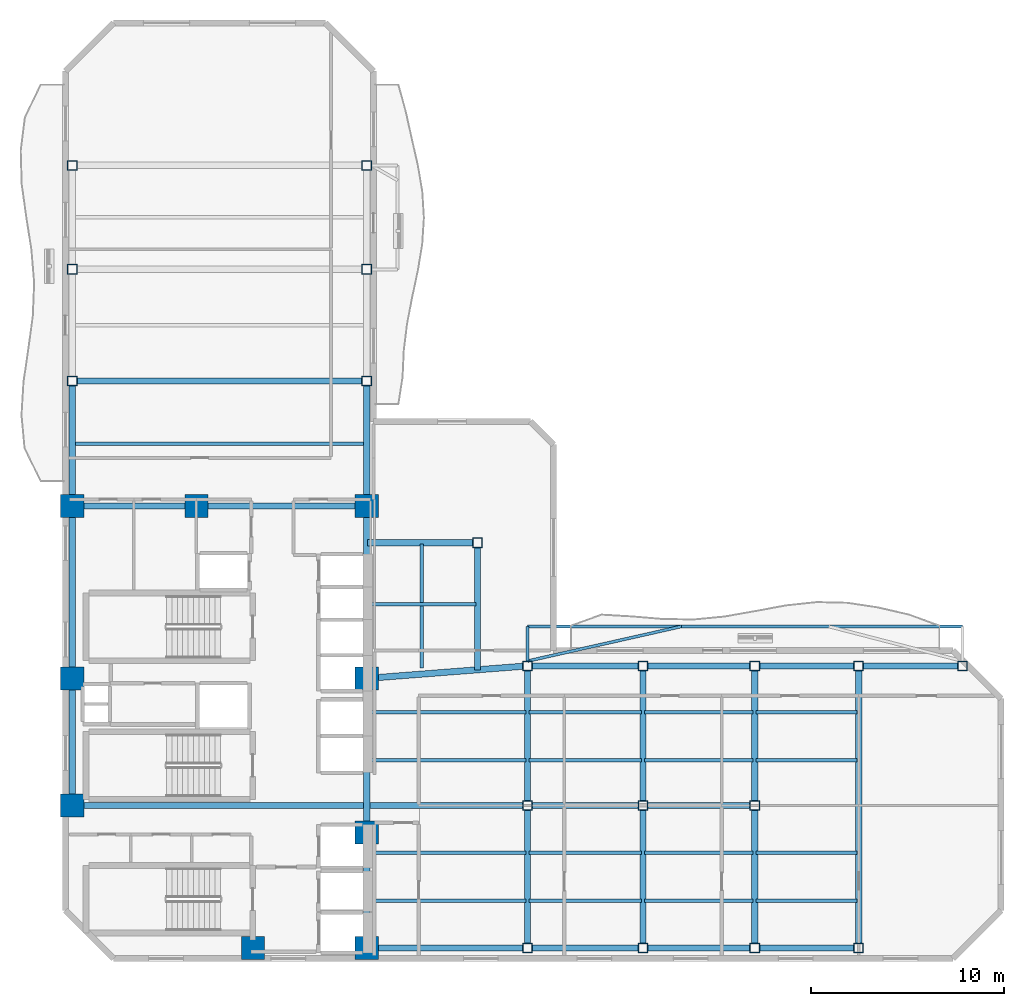
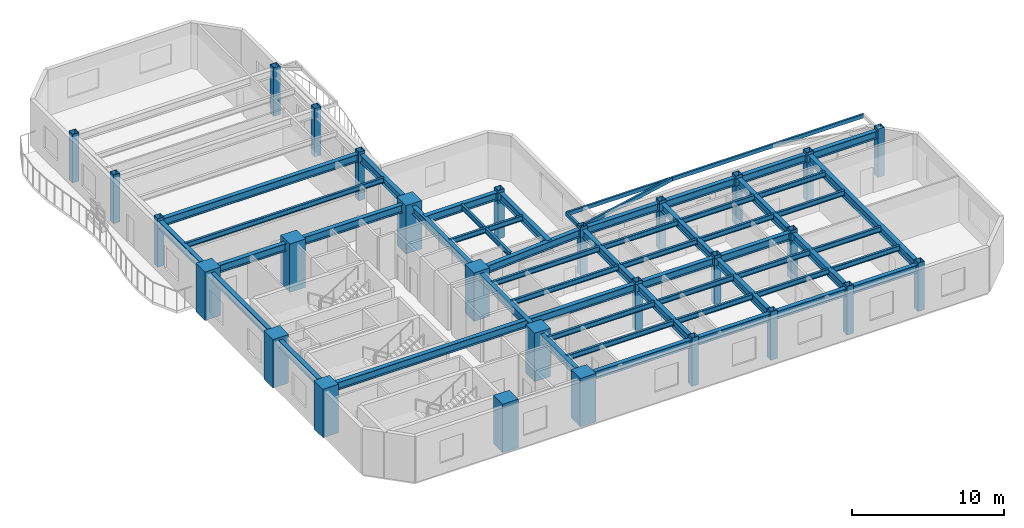
# One storey, part 1 of 9: 53 beams, 28 columns.
"""IFC4 building model written with IfcOpenShell, lengths in metres."""

import ifcopenshell
import ifcopenshell.guid

model = None  # the IFC model being written
_history = None  # IfcOwnerHistory: only IFC2X3 demands one
_inside = {}  # id of a spatial element -> (the spatial element, [elements in it])
_under = {}  # id of a project, library or spatial element -> (it, [spatial elements below it])
_declared = {}  # id of a project -> (the project, [libraries it declares])
_typed = {}  # id of a type object -> (the type object, [elements of that type])
_made_of = {}  # id of a material, layer set ... -> (it, [elements and type objects made of it])


def new_model(schema):
    """Start an empty IFC model of exactly this schema.

    Asked for "IFC4X3", IfcOpenShell would pick the latest addendum, in which some entities
    have other attributes; the version numbers below select the first issue.
    IFC2X3 requires an IfcOwnerHistory on every rooted entity: one is made here for all.
    """
    global model, _history
    if schema == "IFC4X3":
        model = ifcopenshell.file(schema_version=(4, 3, 0, 0))
    else:
        model = ifcopenshell.file(schema=schema)
    _inside.clear()
    _under.clear()
    _declared.clear()
    _typed.clear()
    _made_of.clear()
    _history = None
    if model.schema == "IFC2X3":
        org = make("IfcOrganization", Name="unknown")
        user = make(
            "IfcPersonAndOrganization",
            ThePerson=make("IfcPerson", FamilyName="unknown"),
            TheOrganization=org,
        )
        app = make(
            "IfcApplication",
            ApplicationDeveloper=org,
            Version="unknown",
            ApplicationFullName="unknown",
            ApplicationIdentifier="unknown",
        )
        _history = make(
            "IfcOwnerHistory",
            OwningUser=user,
            OwningApplication=app,
            ChangeAction="ADDED",
            CreationDate=0,
        )
    return model


def make(cls, **values):
    """One entity of the class cls with the attributes given. An attribute that is None is left unset."""
    return model.create_entity(
        cls, **{name: value for name, value in values.items() if value is not None}
    )


def rooted(cls, **values):
    """An entity with a GlobalId (a new one), such as an element, a storey or a relation."""
    return make(cls, GlobalId=ifcopenshell.guid.new(), OwnerHistory=_history, **values)


def si_unit(unit_type, name, prefix=None):
    """IfcSIUnit, for example si_unit("LENGTHUNIT", "METRE", prefix="MILLI")."""
    return make("IfcSIUnit", UnitType=unit_type, Prefix=prefix, Name=name)


def assignment(units):
    """IfcUnitAssignment: the units of a project."""
    return None if units is None else make("IfcUnitAssignment", Units=units)


def point(xyz):
    """IfcCartesianPoint."""
    return None if xyz is None else make("IfcCartesianPoint", Coordinates=xyz)


def direction(xyz):
    """IfcDirection."""
    return None if xyz is None else make("IfcDirection", DirectionRatios=xyz)


def frame(location, z_axis=None, x_axis=None):
    """IfcAxis2Placement3D, a coordinate frame: its origin and axes. An axis left out is left unset."""
    return make(
        "IfcAxis2Placement3D",
        Location=point(location),
        Axis=direction(z_axis),
        RefDirection=direction(x_axis),
    )


def frame_2d(location, x_axis=None):
    """IfcAxis2Placement2D, a coordinate frame in the plane: its origin and x axis."""
    return make(
        "IfcAxis2Placement2D", Location=point(location), RefDirection=direction(x_axis)
    )


def origin():
    """The frame at (0, 0, 0) with its axes left unset."""
    return frame((0.0, 0.0, 0.0))


def origin_2d():
    """The frame at (0, 0) in the plane with its x axis left unset."""
    return frame_2d((0.0, 0.0))


def place(relative_to, where):
    """IfcLocalPlacement: puts the frame where relative to a parent placement (None: the world)."""
    return make(
        "IfcLocalPlacement", PlacementRelTo=relative_to, RelativePlacement=where
    )


def context(
    kind, dimensions, precision=None, world=None, true_north=None, identifier=None
):
    """IfcGeometricRepresentationContext, for example the 3D "Model" context."""
    return make(
        "IfcGeometricRepresentationContext",
        ContextIdentifier=identifier,
        ContextType=kind,
        CoordinateSpaceDimension=dimensions,
        Precision=precision,
        WorldCoordinateSystem=world,
        TrueNorth=true_north,
    )


def subcontext(parent, identifier, kind, view, scale=None):
    """IfcGeometricRepresentationSubContext, for example "Body" below "Model"."""
    return make(
        "IfcGeometricRepresentationSubContext",
        ContextIdentifier=identifier,
        ContextType=kind,
        ParentContext=parent,
        TargetScale=scale,
        TargetView=view,
    )


def project(units=None, contexts=None):
    """IfcProject with its units and contexts."""
    return rooted(
        "IfcProject",
        Name="project",
        RepresentationContexts=contexts,
        UnitsInContext=assignment(units),
    )


def spatial(cls, under=None, at=None, **own):
    """A site, building, storey or space (cls), placed at a placement, below another one or the project."""
    s = rooted(cls, ObjectPlacement=at, **own)
    if under is not None:
        _under.setdefault(under.id(), (under, []))[1].append(s)
    return s


def profile(cls, at=None, kind="AREA", **sizes):
    """A parametric profile (cls). Its sizes go by their IFC names, for example OverallWidth=200.0."""
    return make(cls, ProfileType=kind, Position=at, **sizes)


def rectangle(**sizes):
    """IfcRectangleProfileDef."""
    return profile("IfcRectangleProfileDef", **sizes)


def hollow_rectangle(**sizes):
    """IfcRectangleHollowProfileDef."""
    return profile("IfcRectangleHollowProfileDef", **sizes)


def i_section(**sizes):
    """IfcIShapeProfileDef."""
    return profile("IfcIShapeProfileDef", **sizes)


def extrude(swept, where, along, depth):
    """IfcExtrudedAreaSolid: the profile swept, set in the frame where, extruded along a direction by depth."""
    return make(
        "IfcExtrudedAreaSolid",
        SweptArea=swept,
        Position=where,
        ExtrudedDirection=direction(along),
        Depth=depth,
    )


def shape(context_of_items, identifier, shape_type, items):
    """IfcShapeRepresentation: the items that make up one representation, for example the "Body"."""
    return make(
        "IfcShapeRepresentation",
        ContextOfItems=context_of_items,
        RepresentationIdentifier=identifier,
        RepresentationType=shape_type,
        Items=items,
    )


def material(Name=None, Category=None):
    """IfcMaterial."""
    return make("IfcMaterial", Name=Name, Category=Category)


def material_profile(
    of_material, cross_section, Name=None, Category=None, Priority=None
):
    """IfcMaterialProfile: a cross section and its material."""
    return make(
        "IfcMaterialProfile",
        Name=Name,
        Material=of_material,
        Profile=cross_section,
        Priority=Priority,
        Category=Category,
    )


def profile_set(profiles, Name=None, composite=None):
    """IfcMaterialProfileSet."""
    return make(
        "IfcMaterialProfileSet",
        Name=Name,
        MaterialProfiles=profiles,
        CompositeProfile=composite,
    )


def made_of(thing, what):
    """Note that an element or type object is made of a material, layer set ...; save() writes the relation."""
    if what is not None:
        _made_of.setdefault(what.id(), (what, []))[1].append(thing)
    return thing


def type_object(cls, material=None, **own):
    """A type object (cls), such as IfcWallType, which elements share."""
    return made_of(rooted(cls, **own), material)


def element(
    cls,
    number,
    at=None,
    inside=None,
    cuts=None,
    type_object=None,
    material=None,
    context=None,
    identifier="Body",
    shape_type=None,
    held_by="IfcProductDefinitionShape",
    body=None,
    shapes=None,
    **own,
):
    """One element of the class cls, such as IfcWall. Its Tag is "e" and its number.

    at: its placement. inside: the storey or other place that contains it. cuts: it is an
    opening in that element (IfcRelVoidsElement). A single representation is given by context,
    identifier, shape_type and body (its items); several are given by shapes. held_by: the class
    of the entity that holds the representations. save() writes the other relations.
    """
    e = rooted(cls, Tag="e%d" % number, ObjectPlacement=at, **own)
    if body is not None:
        shapes = [shape(context, identifier, shape_type, body)]
    if shapes is not None:
        e.Representation = make(held_by, Representations=shapes)
    if inside is not None:
        _inside.setdefault(inside.id(), (inside, []))[1].append(e)
    if cuts is not None:
        rooted(
            "IfcRelVoidsElement", RelatingBuildingElement=cuts, RelatedOpeningElement=e
        )
    if type_object is not None:
        _typed.setdefault(type_object.id(), (type_object, []))[1].append(e)
    return made_of(e, material)


def aggregate(whole, parts):
    """IfcRelAggregates: a whole, such as a stair, and the parts it consists of."""
    return rooted("IfcRelAggregates", RelatingObject=whole, RelatedObjects=parts)


def save(model, path):
    """Write the relations noted so far, then the file.

    IfcRelAggregates (storeys below a building ...), IfcRelContainedInSpatialStructure (elements
    in a storey), IfcRelDefinesByType, IfcRelAssociatesMaterial and IfcRelDeclares: one each for
    every whole, place, type object, material and project.
    """
    for whole, parts in _under.values():
        aggregate(whole, parts)
    for where, things in _inside.values():
        rooted(
            "IfcRelContainedInSpatialStructure",
            RelatedElements=things,
            RelatingStructure=where,
        )
    for kind, things in _typed.values():
        rooted("IfcRelDefinesByType", RelatedObjects=things, RelatingType=kind)
    for what, things in _made_of.values():
        rooted("IfcRelAssociatesMaterial", RelatedObjects=things, RelatingMaterial=what)
    for by, libraries in _declared.values():
        rooted("IfcRelDeclares", RelatingContext=by, RelatedDefinitions=libraries)
    model.write(path)


model = new_model("IFC4")

# Units and contexts
model_context = context("Model", 3, precision=1e-05, world=origin(), true_north=direction((0.0, 1.0)))
body_context = subcontext(model_context, "Body", "Model", "MODEL_VIEW")
ifc_project = project(units=[si_unit("LENGTHUNIT", "METRE"), si_unit("AREAUNIT", "SQUARE_METRE"), si_unit("VOLUMEUNIT", "CUBIC_METRE"), si_unit("PLANEANGLEUNIT", "RADIAN"), si_unit("MASSUNIT", "GRAM", prefix="KILO")], contexts=[model_context])

# Site, building, storey
site_placement = place(None, origin())
site = spatial("IfcSite", under=ifc_project, at=site_placement, CompositionType="ELEMENT")
building_placement = place(site_placement, origin())
building = spatial("IfcBuilding", under=site, at=building_placement, Name="Mawjaban Terraces University", CompositionType="ELEMENT")
storey_placement = place(building_placement, frame((0.0, 0.0, 126.800048828125)))
storey = spatial("IfcBuildingStorey", under=building, at=storey_placement, Name="L30", CompositionType="ELEMENT", Elevation=126.800048828125)

# Columns
ifc_material_1 = material(Name="Concrete C60/75", Category="concrete")
ifc_material_profile_1 = material_profile(ifc_material_1, rectangle(XDim=1.199951171875, YDim=1.199951171875, at=origin_2d()), Name="RC1200X1200")
ifc_profile_set_1 = profile_set([ifc_material_profile_1], Name="Concrete C60/75")
column_type_1 = type_object("IfcColumnType", Name="Col_RC1200X1200", PredefinedType="COLUMN", material=ifc_profile_set_1)
for number, where, z_axis, x_axis, name in (
    (1, (31.75, 0.550048828125, 0.0), (0.0, 0.0, 1.0), (1.0, 0.0, 0.0), "L30 Column CC2"),
    (2, (37.64990234375, 0.550048828125, 0.0), (0.0, 0.0, 1.0), (1.0, 0.0, 0.0), "L30 Column CC3"),
    (3, (22.35009765625, 7.949951171875, 0.0), (0.0, 0.0, 1.0), (1.0, 0.0, 0.0), "L30 Column CC4"),
    (4, (37.64990234375, 6.550048828125, 0.0), (0.0, 0.0, 1.0), (1.0, 0.0, 0.0), "L30 Column CC5"),
    (5, (22.35009765625, 14.550048828125, 0.0), (0.0, 0.0, 1.0), (1.0, 0.0, 0.0), "L30 Column CC6"),
    (6, (37.64990234375, 14.550048828125, 0.0), (0.0, 0.0, 1.0), (1.0, 0.0, 0.0), "L30 Column CC7"),
    (7, (22.35009765625, 23.5, 0.0), (0.0, 0.0, 1.0), (1.0, 0.0, 0.0), "L30 Column CC8"),
    (8, (28.800048828125, 23.5, 0.0), (0.0, 0.0, 1.0), (1.0, 0.0, 0.0), "L30 Column CC9"),
    (9, (37.64990234375, 23.5, 0.0), (0.0, 0.0, 1.0), (1.0, 0.0, 0.0), "L30 Column CC10"),
):
    element("IfcColumn", number, at=place(storey_placement, frame(where, z_axis=z_axis, x_axis=x_axis)), inside=storey, type_object=column_type_1, Name=name, PredefinedType="COLUMN", context=body_context, shape_type="SweptSolid", body=[
        extrude(rectangle(XDim=1.199951171875, YDim=1.199951171875, at=origin_2d()), origin(), (0.0, 0.0, 1.0), 3.89990234375),
    ])
ifc_material_2 = material(Name="Steel EN 10210-1 S355J2H", Category="steel")
ifc_material_profile_2 = material_profile(ifc_material_2, hollow_rectangle(XDim=0.5, YDim=0.5, WallThickness=0.02490234375, at=origin_2d()), Name="SHS500X500X25")
ifc_profile_set_2 = profile_set([ifc_material_profile_2], Name="Steel EN 10210-1 S355J2H")
column_type_2 = type_object("IfcColumnType", Name="Col_SHS500X500X25", PredefinedType="COLUMN", material=ifc_profile_set_2)
for number, where, z_axis, x_axis, name in (
    (10, (46.0, 0.550048828125, 0.0), (0.0, 0.0, 1.0), (1.0, 0.0, 0.0), "L30 Column TE-460-005"),
    (11, (46.0, 7.949951171875, 0.0), (0.0, 0.0, 1.0), (1.0, 0.0, 0.0), "L30 Column TE-460-080"),
    (12, (46.0, 15.199951171875, 0.0), (0.0, 0.0, 1.0), (1.0, 0.0, 0.0), "L30 Column TE-460-152"),
    (13, (52.0, 0.550048828125, 0.0), (0.0, 0.0, 1.0), (1.0, 0.0, 0.0), "L30 Column TE-520-005"),
    (14, (52.0, 7.949951171875, 0.0), (0.0, 0.0, 1.0), (1.0, 0.0, 0.0), "L30 Column TE-520-080"),
    (15, (52.0, 15.199951171875, 0.0), (0.0, 0.0, 1.0), (1.0, 0.0, 0.0), "L30 Column TE-520-152"),
    (16, (57.800048828125, 0.550048828125, 0.0), (0.0, 0.0, 1.0), (1.0, 0.0, 0.0), "L30 Column TE-578-005"),
    (17, (57.800048828125, 7.949951171875, 0.0), (0.0, 0.0, 1.0), (1.0, 0.0, 0.0), "L30 Column TE-578-080"),
    (18, (57.800048828125, 15.199951171875, 0.0), (0.0, 0.0, 1.0), (1.0, 0.0, 0.0), "L30 Column TE-578-152"),
    (19, (63.199951171875, 0.550048828125, 0.0), (0.0, 0.0, 1.0), (1.0, 0.0, 0.0), "L30 Column TE-632-005"),
    (20, (63.199951171875, 15.199951171875, 0.0), (0.0, 0.0, 1.0), (1.0, 0.0, 0.0), "L30 Column TE-632-152"),
    (21, (68.60009765625, 15.199951171875, 0.0), (0.0, 0.0, 1.0), (1.0, 0.0, 0.0), "L30 Column TE-686-152"),
    (22, (22.35009765625, 30.0, 0.0), (0.0, 0.0, 1.0), (1.0, 0.0, 0.0), "L30 Column TN-223-300"),
    (23, (37.64990234375, 30.0, 0.0), (0.0, 0.0, 1.0), (1.0, 0.0, 0.0), "L30 Column TN-376-300"),
    (24, (22.35009765625, 35.800048828125, 0.0), (0.0, 0.0, 1.0), (1.0, 0.0, 0.0), "L30 Column TN-223-358"),
    (25, (37.64990234375, 35.800048828125, 0.0), (0.0, 0.0, 1.0), (1.0, 0.0, 0.0), "L30 Column TN-376-358"),
    (26, (22.35009765625, 41.199951171875, 0.0), (0.0, 0.0, 1.0), (1.0, 0.0, 0.0), "L30 Column TN-223-412"),
    (27, (37.64990234375, 41.199951171875, 0.0), (0.0, 0.0, 1.0), (1.0, 0.0, 0.0), "L30 Column TN-376-412"),
    (28, (43.39990234375, 21.60009765625, 0.0), (0.0, 0.0, 1.0), (1.0, 0.0, 0.0), "L30 Column TS-434-216"),
):
    element("IfcColumn", number, at=place(storey_placement, frame(where, z_axis=z_axis, x_axis=x_axis)), inside=storey, type_object=column_type_2, Name=name, PredefinedType="COLUMN", context=body_context, shape_type="SweptSolid", body=[
        extrude(hollow_rectangle(XDim=0.5, YDim=0.5, WallThickness=0.02490234375, at=origin_2d()), origin(), (0.0, 0.0, 1.0), 3.89990234375),
    ])

# Beams
ifc_material_profile_3 = material_profile(ifc_material_2, hollow_rectangle(XDim=0.14990234375, YDim=0.300048828125, WallThickness=0.012451171875, at=origin_2d()), Name="RHS300X150X12.5")
ifc_profile_set_3 = profile_set([ifc_material_profile_3], Name="Steel EN 10210-1 S355J2H")
beam_type_1 = type_object("IfcBeamType", Name="BalconyCantileverSpandrel_RHS", PredefinedType="SPANDREL", material=ifc_profile_set_3)
beam_1_placement = place(storey_placement, frame((46.0, 15.449951171875, 3.5400390625), z_axis=(0.0, 1.0, 0.0), x_axis=(-1.0, 0.0, 0.0)))
element("IfcBeam", 29, at=beam_1_placement, inside=storey, type_object=beam_type_1, Name="L30 Exterior Outrigger BAL-L31-N.1", PredefinedType="SPANDREL", context=body_context, shape_type="SweptSolid", body=[
    extrude(hollow_rectangle(XDim=0.14990234375, YDim=0.300048828125, WallThickness=0.012451171875, at=origin_2d()), origin(), (0.0, 0.0, 1.0), 1.800048828125),
])
beam_2_placement = place(storey_placement, frame((46.0, 17.25, 3.5400390625), z_axis=(1.0, 0.0, 0.0), x_axis=(0.0, 1.0, 0.0)))
element("IfcBeam", 30, at=beam_2_placement, inside=storey, type_object=beam_type_1, Name="L30 Exterior Edge Spandrel BAL-L31-N", PredefinedType="SPANDREL", context=body_context, shape_type="SweptSolid", body=[
    extrude(hollow_rectangle(XDim=0.14990234375, YDim=0.300048828125, WallThickness=0.012451171875, at=origin_2d()), origin(), (0.0, 0.0, 1.0), 22.60009765625),
])
beam_3_placement = place(storey_placement, frame((46.0, 15.449951171875, 3.5400390625), z_axis=(0.975585509407, 0.219619930412, 0.0), x_axis=(-0.219619930412, 0.975585509407, 0.0)))
element("IfcBeam", 31, at=beam_3_placement, inside=storey, type_object=beam_type_1, Name="L30 Exterior Diagonal Strut BAL-L31-N.1", PredefinedType="SPANDREL", context=body_context, shape_type="SweptSolid", body=[
    extrude(hollow_rectangle(XDim=0.14990234375, YDim=0.300048828125, WallThickness=0.012451171875, at=origin_2d()), origin(), (0.0, 0.0, 1.0), 8.1962890625),
])
ifc_material_3 = material(Name="Steel ASTM A572 Grade 50", Category="steel")
ifc_material_profile_4 = material_profile(ifc_material_3, i_section(OverallWidth=0.324951171875, OverallDepth=0.615966796875, WebThickness=0.013916015625, FlangeThickness=0.021484375, at=origin_2d()), Name="W610X174")
ifc_profile_set_4 = profile_set([ifc_material_profile_4], Name="Steel ASTM A572 Grade 50")
beam_type_2 = type_object("IfcBeamType", Name="Beam_B_W610X174", PredefinedType="BEAM", material=ifc_profile_set_4)
beam_4_placement = place(storey_placement, frame((38.25, 0.550048828125, 3.3818359375), z_axis=(1.0, 0.0, 0.0), x_axis=(0.0, 1.0, 0.0)))
element("IfcBeam", 32, at=beam_4_placement, inside=storey, type_object=beam_type_2, Name="L30 Beam BM-L30-EW-01", PredefinedType="BEAM", context=body_context, shape_type="SweptSolid", body=[
    extrude(i_section(OverallWidth=0.324951171875, OverallDepth=0.615966796875, WebThickness=0.013916015625, FlangeThickness=0.021484375, at=origin_2d()), origin(), (0.0, 0.0, 1.0), 7.5),
])
beam_5_placement = place(storey_placement, frame((46.25, 0.550048828125, 3.3818359375), z_axis=(1.0, 0.0, 0.0), x_axis=(0.0, 1.0, 0.0)))
element("IfcBeam", 33, at=beam_5_placement, inside=storey, type_object=beam_type_2, Name="L30 Beam BM-L30-EW-02", PredefinedType="BEAM", context=body_context, shape_type="SweptSolid", body=[
    extrude(i_section(OverallWidth=0.324951171875, OverallDepth=0.615966796875, WebThickness=0.013916015625, FlangeThickness=0.021484375, at=origin_2d()), origin(), (0.0, 0.0, 1.0), 5.5),
])
beam_6_placement = place(storey_placement, frame((52.25, 0.550048828125, 3.3818359375), z_axis=(1.0, 0.0, 0.0), x_axis=(0.0, 1.0, 0.0)))
element("IfcBeam", 34, at=beam_6_placement, inside=storey, type_object=beam_type_2, Name="L30 Beam BM-L30-EW-03", PredefinedType="BEAM", context=body_context, shape_type="SweptSolid", body=[
    extrude(i_section(OverallWidth=0.324951171875, OverallDepth=0.615966796875, WebThickness=0.013916015625, FlangeThickness=0.021484375, at=origin_2d()), origin(), (0.0, 0.0, 1.0), 5.300048828125),
])
beam_7_placement = place(storey_placement, frame((58.050048828125, 0.550048828125, 3.3818359375), z_axis=(1.0, 0.0, 0.0), x_axis=(0.0, 1.0, 0.0)))
element("IfcBeam", 35, at=beam_7_placement, inside=storey, type_object=beam_type_2, Name="L30 Beam BM-L30-EW-04", PredefinedType="BEAM", context=body_context, shape_type="SweptSolid", body=[
    extrude(i_section(OverallWidth=0.324951171875, OverallDepth=0.615966796875, WebThickness=0.013916015625, FlangeThickness=0.021484375, at=origin_2d()), origin(), (0.0, 0.0, 1.0), 4.89990234375),
])
beam_8_placement = place(storey_placement, frame((22.949951171875, 7.949951171875, 3.3818359375), z_axis=(1.0, 0.0, 0.0), x_axis=(0.0, 1.0, 0.0)))
element("IfcBeam", 36, at=beam_8_placement, inside=storey, type_object=beam_type_2, Name="L30 Beam BM-L30-EW-05", PredefinedType="BEAM", context=body_context, shape_type="SweptSolid", body=[
    extrude(i_section(OverallWidth=0.324951171875, OverallDepth=0.615966796875, WebThickness=0.013916015625, FlangeThickness=0.021484375, at=origin_2d()), origin(), (0.0, 0.0, 1.0), 22.800048828125),
])
beam_9_placement = place(storey_placement, frame((46.25, 7.949951171875, 3.3818359375), z_axis=(1.0, 0.0, 0.0), x_axis=(0.0, 1.0, 0.0)))
element("IfcBeam", 37, at=beam_9_placement, inside=storey, type_object=beam_type_2, Name="L30 Beam BM-L30-EW-06", PredefinedType="BEAM", context=body_context, shape_type="SweptSolid", body=[
    extrude(i_section(OverallWidth=0.324951171875, OverallDepth=0.615966796875, WebThickness=0.013916015625, FlangeThickness=0.021484375, at=origin_2d()), origin(), (0.0, 0.0, 1.0), 5.5),
])
beam_10_placement = place(storey_placement, frame((52.25, 7.949951171875, 3.3818359375), z_axis=(1.0, 0.0, 0.0), x_axis=(0.0, 1.0, 0.0)))
element("IfcBeam", 38, at=beam_10_placement, inside=storey, type_object=beam_type_2, Name="L30 Beam BM-L30-EW-07", PredefinedType="BEAM", context=body_context, shape_type="SweptSolid", body=[
    extrude(i_section(OverallWidth=0.324951171875, OverallDepth=0.615966796875, WebThickness=0.013916015625, FlangeThickness=0.021484375, at=origin_2d()), origin(), (0.0, 0.0, 1.0), 5.300048828125),
])
beam_11_placement = place(storey_placement, frame((46.25, 15.199951171875, 3.3818359375), z_axis=(1.0, 0.0, 0.0), x_axis=(0.0, 1.0, 0.0)))
element("IfcBeam", 39, at=beam_11_placement, inside=storey, type_object=beam_type_2, Name="L30 Beam BM-L30-EW-08", PredefinedType="BEAM", context=body_context, shape_type="SweptSolid", body=[
    extrude(i_section(OverallWidth=0.324951171875, OverallDepth=0.615966796875, WebThickness=0.013916015625, FlangeThickness=0.021484375, at=origin_2d()), origin(), (0.0, 0.0, 1.0), 5.5),
])
beam_12_placement = place(storey_placement, frame((52.25, 15.199951171875, 3.3818359375), z_axis=(1.0, 0.0, 0.0), x_axis=(0.0, 1.0, 0.0)))
element("IfcBeam", 40, at=beam_12_placement, inside=storey, type_object=beam_type_2, Name="L30 Beam BM-L30-EW-09", PredefinedType="BEAM", context=body_context, shape_type="SweptSolid", body=[
    extrude(i_section(OverallWidth=0.324951171875, OverallDepth=0.615966796875, WebThickness=0.013916015625, FlangeThickness=0.021484375, at=origin_2d()), origin(), (0.0, 0.0, 1.0), 5.300048828125),
])
beam_13_placement = place(storey_placement, frame((58.050048828125, 15.199951171875, 3.3818359375), z_axis=(1.0, 0.0, 0.0), x_axis=(0.0, 1.0, 0.0)))
element("IfcBeam", 41, at=beam_13_placement, inside=storey, type_object=beam_type_2, Name="L30 Beam BM-L30-EW-10", PredefinedType="BEAM", context=body_context, shape_type="SweptSolid", body=[
    extrude(i_section(OverallWidth=0.324951171875, OverallDepth=0.615966796875, WebThickness=0.013916015625, FlangeThickness=0.021484375, at=origin_2d()), origin(), (0.0, 0.0, 1.0), 4.89990234375),
])
beam_14_placement = place(storey_placement, frame((63.449951171875, 15.199951171875, 3.3818359375), z_axis=(1.0, 0.0, 0.0), x_axis=(0.0, 1.0, 0.0)))
element("IfcBeam", 42, at=beam_14_placement, inside=storey, type_object=beam_type_2, Name="L30 Beam BM-L30-EW-11", PredefinedType="BEAM", context=body_context, shape_type="SweptSolid", body=[
    extrude(i_section(OverallWidth=0.324951171875, OverallDepth=0.615966796875, WebThickness=0.013916015625, FlangeThickness=0.021484375, at=origin_2d()), origin(), (0.0, 0.0, 1.0), 4.900146484375),
])
beam_15_placement = place(storey_placement, frame((22.949951171875, 23.5, 3.3818359375), z_axis=(1.0, 0.0, 0.0), x_axis=(0.0, 1.0, 0.0)))
element("IfcBeam", 43, at=beam_15_placement, inside=storey, type_object=beam_type_2, Name="L30 Beam BM-L30-EW-12", PredefinedType="BEAM", context=body_context, shape_type="SweptSolid", body=[
    extrude(i_section(OverallWidth=0.324951171875, OverallDepth=0.615966796875, WebThickness=0.013916015625, FlangeThickness=0.021484375, at=origin_2d()), origin(), (0.0, 0.0, 1.0), 5.25),
])
beam_16_placement = place(storey_placement, frame((29.39990234375, 23.5, 3.3818359375), z_axis=(1.0, 0.0, 0.0), x_axis=(0.0, 1.0, 0.0)))
element("IfcBeam", 44, at=beam_16_placement, inside=storey, type_object=beam_type_2, Name="L30 Beam BM-L30-EW-13", PredefinedType="BEAM", context=body_context, shape_type="SweptSolid", body=[
    extrude(i_section(OverallWidth=0.324951171875, OverallDepth=0.615966796875, WebThickness=0.013916015625, FlangeThickness=0.021484375, at=origin_2d()), origin(), (0.0, 0.0, 1.0), 7.650146484375),
])
beam_17_placement = place(storey_placement, frame((22.60009765625, 30.0, 3.3818359375), z_axis=(1.0, 0.0, 0.0), x_axis=(0.0, 1.0, 0.0)))
element("IfcBeam", 45, at=beam_17_placement, inside=storey, type_object=beam_type_2, Name="L30 Beam BM-L30-EW-14", PredefinedType="BEAM", context=body_context, shape_type="SweptSolid", body=[
    extrude(i_section(OverallWidth=0.324951171875, OverallDepth=0.615966796875, WebThickness=0.013916015625, FlangeThickness=0.021484375, at=origin_2d()), origin(), (0.0, 0.0, 1.0), 14.7998046875),
])
beam_18_placement = place(storey_placement, frame((22.35009765625, 8.550048828125, 3.3818359375), z_axis=(0.0, 1.0, 0.0), x_axis=(-1.0, 0.0, 0.0)))
element("IfcBeam", 46, at=beam_18_placement, inside=storey, type_object=beam_type_2, Name="L30 Beam BM-L30-NS-01", PredefinedType="BEAM", context=body_context, shape_type="SweptSolid", body=[
    extrude(i_section(OverallWidth=0.324951171875, OverallDepth=0.615966796875, WebThickness=0.013916015625, FlangeThickness=0.021484375, at=origin_2d()), origin(), (0.0, 0.0, 1.0), 5.39990234375),
])
beam_19_placement = place(storey_placement, frame((22.35009765625, 15.14990234375, 3.3818359375), z_axis=(0.0, 1.0, 0.0), x_axis=(-1.0, 0.0, 0.0)))
element("IfcBeam", 47, at=beam_19_placement, inside=storey, type_object=beam_type_2, Name="L30 Beam BM-L30-NS-02", PredefinedType="BEAM", context=body_context, shape_type="SweptSolid", body=[
    extrude(i_section(OverallWidth=0.324951171875, OverallDepth=0.615966796875, WebThickness=0.013916015625, FlangeThickness=0.021484375, at=origin_2d()), origin(), (0.0, 0.0, 1.0), 7.75),
])
beam_20_placement = place(storey_placement, frame((22.35009765625, 24.10009765625, 3.3818359375), z_axis=(0.0, 1.0, 0.0), x_axis=(-1.0, 0.0, 0.0)))
element("IfcBeam", 48, at=beam_20_placement, inside=storey, type_object=beam_type_2, Name="L30 Beam BM-L30-NS-03", PredefinedType="BEAM", context=body_context, shape_type="SweptSolid", body=[
    extrude(i_section(OverallWidth=0.324951171875, OverallDepth=0.615966796875, WebThickness=0.013916015625, FlangeThickness=0.021484375, at=origin_2d()), origin(), (0.0, 0.0, 1.0), 5.64990234375),
])
beam_21_placement = place(storey_placement, frame((37.64990234375, 1.14990234375, 3.3818359375), z_axis=(0.0, 1.0, 0.0), x_axis=(-1.0, 0.0, 0.0)))
element("IfcBeam", 49, at=beam_21_placement, inside=storey, type_object=beam_type_2, Name="L30 Beam BM-L30-NS-06", PredefinedType="BEAM", context=body_context, shape_type="SweptSolid", body=[
    extrude(i_section(OverallWidth=0.324951171875, OverallDepth=0.615966796875, WebThickness=0.013916015625, FlangeThickness=0.021484375, at=origin_2d()), origin(), (0.0, 0.0, 1.0), 4.800048828125),
])
beam_22_placement = place(storey_placement, frame((37.64990234375, 7.14990234375, 3.3818359375), z_axis=(0.0, 1.0, 0.0), x_axis=(-1.0, 0.0, 0.0)))
element("IfcBeam", 50, at=beam_22_placement, inside=storey, type_object=beam_type_2, Name="L30 Beam BM-L30-NS-07", PredefinedType="BEAM", context=body_context, shape_type="SweptSolid", body=[
    extrude(i_section(OverallWidth=0.324951171875, OverallDepth=0.615966796875, WebThickness=0.013916015625, FlangeThickness=0.021484375, at=origin_2d()), origin(), (0.0, 0.0, 1.0), 6.800048828125),
])
beam_23_placement = place(storey_placement, frame((37.64990234375, 15.14990234375, 3.3818359375), z_axis=(0.0, 1.0, 0.0), x_axis=(-1.0, 0.0, 0.0)))
element("IfcBeam", 51, at=beam_23_placement, inside=storey, type_object=beam_type_2, Name="L30 Beam BM-L30-NS-08", PredefinedType="BEAM", context=body_context, shape_type="SweptSolid", body=[
    extrude(i_section(OverallWidth=0.324951171875, OverallDepth=0.615966796875, WebThickness=0.013916015625, FlangeThickness=0.021484375, at=origin_2d()), origin(), (0.0, 0.0, 1.0), 7.75),
])
beam_24_placement = place(storey_placement, frame((37.64990234375, 24.10009765625, 3.3818359375), z_axis=(0.0, 1.0, 0.0), x_axis=(-1.0, 0.0, 0.0)))
element("IfcBeam", 52, at=beam_24_placement, inside=storey, type_object=beam_type_2, Name="L30 Beam BM-L30-NS-09", PredefinedType="BEAM", context=body_context, shape_type="SweptSolid", body=[
    extrude(i_section(OverallWidth=0.324951171875, OverallDepth=0.615966796875, WebThickness=0.013916015625, FlangeThickness=0.021484375, at=origin_2d()), origin(), (0.0, 0.0, 1.0), 5.64990234375),
])
beam_25_placement = place(storey_placement, frame((46.0, 0.800048828125, 3.3818359375), z_axis=(0.0, 1.0, 0.0), x_axis=(-1.0, 0.0, 0.0)))
element("IfcBeam", 53, at=beam_25_placement, inside=storey, type_object=beam_type_2, Name="L30 Beam BM-L30-NS-12", PredefinedType="BEAM", context=body_context, shape_type="SweptSolid", body=[
    extrude(i_section(OverallWidth=0.324951171875, OverallDepth=0.615966796875, WebThickness=0.013916015625, FlangeThickness=0.021484375, at=origin_2d()), origin(), (0.0, 0.0, 1.0), 6.89990234375),
])
beam_26_placement = place(storey_placement, frame((46.0, 8.199951171875, 3.3818359375), z_axis=(0.0, 1.0, 0.0), x_axis=(-1.0, 0.0, 0.0)))
element("IfcBeam", 54, at=beam_26_placement, inside=storey, type_object=beam_type_2, Name="L30 Beam BM-L30-NS-13", PredefinedType="BEAM", context=body_context, shape_type="SweptSolid", body=[
    extrude(i_section(OverallWidth=0.324951171875, OverallDepth=0.615966796875, WebThickness=0.013916015625, FlangeThickness=0.021484375, at=origin_2d()), origin(), (0.0, 0.0, 1.0), 6.75),
])
beam_27_placement = place(storey_placement, frame((52.0, 0.800048828125, 3.3818359375), z_axis=(0.0, 1.0, 0.0), x_axis=(-1.0, 0.0, 0.0)))
element("IfcBeam", 55, at=beam_27_placement, inside=storey, type_object=beam_type_2, Name="L30 Beam BM-L30-NS-14", PredefinedType="BEAM", context=body_context, shape_type="SweptSolid", body=[
    extrude(i_section(OverallWidth=0.324951171875, OverallDepth=0.615966796875, WebThickness=0.013916015625, FlangeThickness=0.021484375, at=origin_2d()), origin(), (0.0, 0.0, 1.0), 6.89990234375),
])
beam_28_placement = place(storey_placement, frame((52.0, 8.199951171875, 3.3818359375), z_axis=(0.0, 1.0, 0.0), x_axis=(-1.0, 0.0, 0.0)))
element("IfcBeam", 56, at=beam_28_placement, inside=storey, type_object=beam_type_2, Name="L30 Beam BM-L30-NS-15", PredefinedType="BEAM", context=body_context, shape_type="SweptSolid", body=[
    extrude(i_section(OverallWidth=0.324951171875, OverallDepth=0.615966796875, WebThickness=0.013916015625, FlangeThickness=0.021484375, at=origin_2d()), origin(), (0.0, 0.0, 1.0), 6.75),
])
beam_29_placement = place(storey_placement, frame((57.800048828125, 0.800048828125, 3.3818359375), z_axis=(0.0, 1.0, 0.0), x_axis=(-1.0, 0.0, 0.0)))
element("IfcBeam", 57, at=beam_29_placement, inside=storey, type_object=beam_type_2, Name="L30 Beam BM-L30-NS-16", PredefinedType="BEAM", context=body_context, shape_type="SweptSolid", body=[
    extrude(i_section(OverallWidth=0.324951171875, OverallDepth=0.615966796875, WebThickness=0.013916015625, FlangeThickness=0.021484375, at=origin_2d()), origin(), (0.0, 0.0, 1.0), 6.89990234375),
])
beam_30_placement = place(storey_placement, frame((57.800048828125, 8.199951171875, 3.3818359375), z_axis=(0.0, 1.0, 0.0), x_axis=(-1.0, 0.0, 0.0)))
element("IfcBeam", 58, at=beam_30_placement, inside=storey, type_object=beam_type_2, Name="L30 Beam BM-L30-NS-17", PredefinedType="BEAM", context=body_context, shape_type="SweptSolid", body=[
    extrude(i_section(OverallWidth=0.324951171875, OverallDepth=0.615966796875, WebThickness=0.013916015625, FlangeThickness=0.021484375, at=origin_2d()), origin(), (0.0, 0.0, 1.0), 6.75),
])
beam_31_placement = place(storey_placement, frame((63.199951171875, 0.800048828125, 3.3818359375), z_axis=(0.0, 1.0, 0.0), x_axis=(-1.0, 0.0, 0.0)))
element("IfcBeam", 59, at=beam_31_placement, inside=storey, type_object=beam_type_2, Name="L30 Beam BM-L30-NS-18", PredefinedType="BEAM", context=body_context, shape_type="SweptSolid", body=[
    extrude(i_section(OverallWidth=0.324951171875, OverallDepth=0.615966796875, WebThickness=0.013916015625, FlangeThickness=0.021484375, at=origin_2d()), origin(), (0.0, 0.0, 1.0), 14.14990234375),
])
beam_32_placement = place(storey_placement, frame((38.248046875, 14.596923828125, 3.3818359375), z_axis=(0.996984614132, 0.077599479273, 0.0), x_axis=(-0.077599479273, 0.996984614132, 0.0)))
element("IfcBeam", 60, at=beam_32_placement, inside=storey, type_object=beam_type_2, Name="L30 Beam BM-L30-CTIE", PredefinedType="BEAM", context=body_context, shape_type="SweptSolid", body=[
    extrude(i_section(OverallWidth=0.324951171875, OverallDepth=0.615966796875, WebThickness=0.013916015625, FlangeThickness=0.021484375, at=origin_2d()), origin(), (0.0, 0.0, 1.0), 7.525634765625),
])
beam_33_placement = place(storey_placement, frame((37.679931640625, 21.60009765625, 3.3818359375), z_axis=(1.0, 0.0, 0.0), x_axis=(0.0, 1.0, 0.0)))
element("IfcBeam", 61, at=beam_33_placement, inside=storey, type_object=beam_type_2, Name="L30 Spur Tie Girder West", PredefinedType="BEAM", context=body_context, shape_type="SweptSolid", body=[
    extrude(i_section(OverallWidth=0.324951171875, OverallDepth=0.615966796875, WebThickness=0.013916015625, FlangeThickness=0.021484375, at=origin_2d()), origin(), (0.0, 0.0, 1.0), 5.469970703125),
])
beam_34_placement = place(storey_placement, frame((43.39990234375, 15.0, 3.3818359375), z_axis=(0.0, 1.0, 0.0), x_axis=(-1.0, 0.0, 0.0)))
element("IfcBeam", 62, at=beam_34_placement, inside=storey, type_object=beam_type_2, Name="L30 Spur Tie Girder South", PredefinedType="BEAM", context=body_context, shape_type="SweptSolid", body=[
    extrude(i_section(OverallWidth=0.324951171875, OverallDepth=0.615966796875, WebThickness=0.013916015625, FlangeThickness=0.021484375, at=origin_2d()), origin(), (0.0, 0.0, 1.0), 6.35009765625),
])
ifc_material_profile_5 = material_profile(ifc_material_3, i_section(OverallWidth=0.179931640625, OverallDepth=0.4130859375, WebThickness=0.009765625, FlangeThickness=0.01611328125, at=origin_2d()), Name="W410X74")
ifc_profile_set_5 = profile_set([ifc_material_profile_5], Name="Steel ASTM A572 Grade 50")
beam_type_3 = type_object("IfcBeamType", Name="Beam_J_W410X74", PredefinedType="JOIST", material=ifc_profile_set_5)
beam_35_placement = place(storey_placement, frame((37.72998046875, 3.0, 3.48388671875), z_axis=(1.0, 0.0, 0.0), x_axis=(0.0, 1.0, 0.0)))
element("IfcBeam", 63, at=beam_35_placement, inside=storey, type_object=beam_type_3, Name="L30 Composite Joist JST-L30-01", PredefinedType="JOIST", context=body_context, shape_type="SweptSolid", body=[
    extrude(i_section(OverallWidth=0.179931640625, OverallDepth=0.4130859375, WebThickness=0.009765625, FlangeThickness=0.01611328125, at=origin_2d()), origin(), (0.0, 0.0, 1.0), 8.18994140625),
])
beam_36_placement = place(storey_placement, frame((46.080078125, 3.0, 3.48388671875), z_axis=(1.0, 0.0, 0.0), x_axis=(0.0, 1.0, 0.0)))
element("IfcBeam", 64, at=beam_36_placement, inside=storey, type_object=beam_type_3, Name="L30 Composite Joist JST-L30-02", PredefinedType="JOIST", context=body_context, shape_type="SweptSolid", body=[
    extrude(i_section(OverallWidth=0.179931640625, OverallDepth=0.4130859375, WebThickness=0.009765625, FlangeThickness=0.01611328125, at=origin_2d()), origin(), (0.0, 0.0, 1.0), 5.83984375),
])
beam_37_placement = place(storey_placement, frame((52.080078125, 3.0, 3.48388671875), z_axis=(1.0, 0.0, 0.0), x_axis=(0.0, 1.0, 0.0)))
element("IfcBeam", 65, at=beam_37_placement, inside=storey, type_object=beam_type_3, Name="L30 Composite Joist JST-L30-03", PredefinedType="JOIST", context=body_context, shape_type="SweptSolid", body=[
    extrude(i_section(OverallWidth=0.179931640625, OverallDepth=0.4130859375, WebThickness=0.009765625, FlangeThickness=0.01611328125, at=origin_2d()), origin(), (0.0, 0.0, 1.0), 5.639892578125),
])
beam_38_placement = place(storey_placement, frame((57.8798828125, 3.0, 3.48388671875), z_axis=(1.0, 0.0, 0.0), x_axis=(0.0, 1.0, 0.0)))
element("IfcBeam", 66, at=beam_38_placement, inside=storey, type_object=beam_type_3, Name="L30 Composite Joist JST-L30-04", PredefinedType="JOIST", context=body_context, shape_type="SweptSolid", body=[
    extrude(i_section(OverallWidth=0.179931640625, OverallDepth=0.4130859375, WebThickness=0.009765625, FlangeThickness=0.01611328125, at=origin_2d()), origin(), (0.0, 0.0, 1.0), 5.240234375),
])
beam_39_placement = place(storey_placement, frame((37.72998046875, 5.5, 3.48388671875), z_axis=(1.0, 0.0, 0.0), x_axis=(0.0, 1.0, 0.0)))
element("IfcBeam", 67, at=beam_39_placement, inside=storey, type_object=beam_type_3, Name="L30 Composite Joist JST-L30-05", PredefinedType="JOIST", context=body_context, shape_type="SweptSolid", body=[
    extrude(i_section(OverallWidth=0.179931640625, OverallDepth=0.4130859375, WebThickness=0.009765625, FlangeThickness=0.01611328125, at=origin_2d()), origin(), (0.0, 0.0, 1.0), 8.18994140625),
])
beam_40_placement = place(storey_placement, frame((46.080078125, 5.5, 3.48388671875), z_axis=(1.0, 0.0, 0.0), x_axis=(0.0, 1.0, 0.0)))
element("IfcBeam", 68, at=beam_40_placement, inside=storey, type_object=beam_type_3, Name="L30 Composite Joist JST-L30-06", PredefinedType="JOIST", context=body_context, shape_type="SweptSolid", body=[
    extrude(i_section(OverallWidth=0.179931640625, OverallDepth=0.4130859375, WebThickness=0.009765625, FlangeThickness=0.01611328125, at=origin_2d()), origin(), (0.0, 0.0, 1.0), 5.83984375),
])
beam_41_placement = place(storey_placement, frame((52.080078125, 5.5, 3.48388671875), z_axis=(1.0, 0.0, 0.0), x_axis=(0.0, 1.0, 0.0)))
element("IfcBeam", 69, at=beam_41_placement, inside=storey, type_object=beam_type_3, Name="L30 Composite Joist JST-L30-07", PredefinedType="JOIST", context=body_context, shape_type="SweptSolid", body=[
    extrude(i_section(OverallWidth=0.179931640625, OverallDepth=0.4130859375, WebThickness=0.009765625, FlangeThickness=0.01611328125, at=origin_2d()), origin(), (0.0, 0.0, 1.0), 5.639892578125),
])
beam_42_placement = place(storey_placement, frame((57.8798828125, 5.5, 3.48388671875), z_axis=(1.0, 0.0, 0.0), x_axis=(0.0, 1.0, 0.0)))
element("IfcBeam", 70, at=beam_42_placement, inside=storey, type_object=beam_type_3, Name="L30 Composite Joist JST-L30-08", PredefinedType="JOIST", context=body_context, shape_type="SweptSolid", body=[
    extrude(i_section(OverallWidth=0.179931640625, OverallDepth=0.4130859375, WebThickness=0.009765625, FlangeThickness=0.01611328125, at=origin_2d()), origin(), (0.0, 0.0, 1.0), 5.240234375),
])
beam_43_placement = place(storey_placement, frame((37.72998046875, 10.300048828125, 3.48388671875), z_axis=(1.0, 0.0, 0.0), x_axis=(0.0, 1.0, 0.0)))
element("IfcBeam", 71, at=beam_43_placement, inside=storey, type_object=beam_type_3, Name="L30 Composite Joist JST-L30-09", PredefinedType="JOIST", context=body_context, shape_type="SweptSolid", body=[
    extrude(i_section(OverallWidth=0.179931640625, OverallDepth=0.4130859375, WebThickness=0.009765625, FlangeThickness=0.01611328125, at=origin_2d()), origin(), (0.0, 0.0, 1.0), 8.18994140625),
])
beam_44_placement = place(storey_placement, frame((46.080078125, 10.300048828125, 3.48388671875), z_axis=(1.0, 0.0, 0.0), x_axis=(0.0, 1.0, 0.0)))
element("IfcBeam", 72, at=beam_44_placement, inside=storey, type_object=beam_type_3, Name="L30 Composite Joist JST-L30-10", PredefinedType="JOIST", context=body_context, shape_type="SweptSolid", body=[
    extrude(i_section(OverallWidth=0.179931640625, OverallDepth=0.4130859375, WebThickness=0.009765625, FlangeThickness=0.01611328125, at=origin_2d()), origin(), (0.0, 0.0, 1.0), 5.83984375),
])
beam_45_placement = place(storey_placement, frame((52.080078125, 10.300048828125, 3.48388671875), z_axis=(1.0, 0.0, 0.0), x_axis=(0.0, 1.0, 0.0)))
element("IfcBeam", 73, at=beam_45_placement, inside=storey, type_object=beam_type_3, Name="L30 Composite Joist JST-L30-11", PredefinedType="JOIST", context=body_context, shape_type="SweptSolid", body=[
    extrude(i_section(OverallWidth=0.179931640625, OverallDepth=0.4130859375, WebThickness=0.009765625, FlangeThickness=0.01611328125, at=origin_2d()), origin(), (0.0, 0.0, 1.0), 5.639892578125),
])
beam_46_placement = place(storey_placement, frame((57.8798828125, 10.300048828125, 3.48388671875), z_axis=(1.0, 0.0, 0.0), x_axis=(0.0, 1.0, 0.0)))
element("IfcBeam", 74, at=beam_46_placement, inside=storey, type_object=beam_type_3, Name="L30 Composite Joist JST-L30-12", PredefinedType="JOIST", context=body_context, shape_type="SweptSolid", body=[
    extrude(i_section(OverallWidth=0.179931640625, OverallDepth=0.4130859375, WebThickness=0.009765625, FlangeThickness=0.01611328125, at=origin_2d()), origin(), (0.0, 0.0, 1.0), 5.240234375),
])
beam_47_placement = place(storey_placement, frame((37.72998046875, 12.800048828125, 3.48388671875), z_axis=(1.0, 0.0, 0.0), x_axis=(0.0, 1.0, 0.0)))
element("IfcBeam", 75, at=beam_47_placement, inside=storey, type_object=beam_type_3, Name="L30 Composite Joist JST-L30-13", PredefinedType="JOIST", context=body_context, shape_type="SweptSolid", body=[
    extrude(i_section(OverallWidth=0.179931640625, OverallDepth=0.4130859375, WebThickness=0.009765625, FlangeThickness=0.01611328125, at=origin_2d()), origin(), (0.0, 0.0, 1.0), 8.18994140625),
])
beam_48_placement = place(storey_placement, frame((46.080078125, 12.800048828125, 3.48388671875), z_axis=(1.0, 0.0, 0.0), x_axis=(0.0, 1.0, 0.0)))
element("IfcBeam", 76, at=beam_48_placement, inside=storey, type_object=beam_type_3, Name="L30 Composite Joist JST-L30-14", PredefinedType="JOIST", context=body_context, shape_type="SweptSolid", body=[
    extrude(i_section(OverallWidth=0.179931640625, OverallDepth=0.4130859375, WebThickness=0.009765625, FlangeThickness=0.01611328125, at=origin_2d()), origin(), (0.0, 0.0, 1.0), 5.83984375),
])
beam_49_placement = place(storey_placement, frame((52.080078125, 12.800048828125, 3.48388671875), z_axis=(1.0, 0.0, 0.0), x_axis=(0.0, 1.0, 0.0)))
element("IfcBeam", 77, at=beam_49_placement, inside=storey, type_object=beam_type_3, Name="L30 Composite Joist JST-L30-15", PredefinedType="JOIST", context=body_context, shape_type="SweptSolid", body=[
    extrude(i_section(OverallWidth=0.179931640625, OverallDepth=0.4130859375, WebThickness=0.009765625, FlangeThickness=0.01611328125, at=origin_2d()), origin(), (0.0, 0.0, 1.0), 5.639892578125),
])
beam_50_placement = place(storey_placement, frame((57.8798828125, 12.800048828125, 3.48388671875), z_axis=(1.0, 0.0, 0.0), x_axis=(0.0, 1.0, 0.0)))
element("IfcBeam", 78, at=beam_50_placement, inside=storey, type_object=beam_type_3, Name="L30 Composite Joist JST-L30-16", PredefinedType="JOIST", context=body_context, shape_type="SweptSolid", body=[
    extrude(i_section(OverallWidth=0.179931640625, OverallDepth=0.4130859375, WebThickness=0.009765625, FlangeThickness=0.01611328125, at=origin_2d()), origin(), (0.0, 0.0, 1.0), 5.240234375),
])
beam_51_placement = place(storey_placement, frame((37.72998046875, 18.39990234375, 3.48388671875), z_axis=(1.0, 0.0, 0.0), x_axis=(0.0, 1.0, 0.0)))
element("IfcBeam", 79, at=beam_51_placement, inside=storey, type_object=beam_type_3, Name="L30 Composite Joist JST-L30-17", PredefinedType="JOIST", context=body_context, shape_type="SweptSolid", body=[
    extrude(i_section(OverallWidth=0.179931640625, OverallDepth=0.4130859375, WebThickness=0.009765625, FlangeThickness=0.01611328125, at=origin_2d()), origin(), (0.0, 0.0, 1.0), 5.590087890625),
])
beam_52_placement = place(storey_placement, frame((22.429931640625, 26.75, 3.48388671875), z_axis=(1.0, 0.0, 0.0), x_axis=(0.0, 1.0, 0.0)))
element("IfcBeam", 80, at=beam_52_placement, inside=storey, type_object=beam_type_3, Name="L30 Composite Joist JST-L30-18", PredefinedType="JOIST", context=body_context, shape_type="SweptSolid", body=[
    extrude(i_section(OverallWidth=0.179931640625, OverallDepth=0.4130859375, WebThickness=0.009765625, FlangeThickness=0.01611328125, at=origin_2d()), origin(), (0.0, 0.0, 1.0), 15.14013671875),
])
beam_53_placement = place(storey_placement, frame((40.5, 15.080078125, 3.48388671875), z_axis=(0.0, 1.0, 0.0), x_axis=(-1.0, 0.0, 0.0)))
element("IfcBeam", 81, at=beam_53_placement, inside=storey, type_object=beam_type_3, Name="L30 Composite Joist JST-L30-NS-21", PredefinedType="JOIST", context=body_context, shape_type="SweptSolid", body=[
    extrude(i_section(OverallWidth=0.179931640625, OverallDepth=0.4130859375, WebThickness=0.009765625, FlangeThickness=0.01611328125, at=origin_2d()), origin(), (0.0, 0.0, 1.0), 6.43994140625),
])

save(model, "model.ifc")
